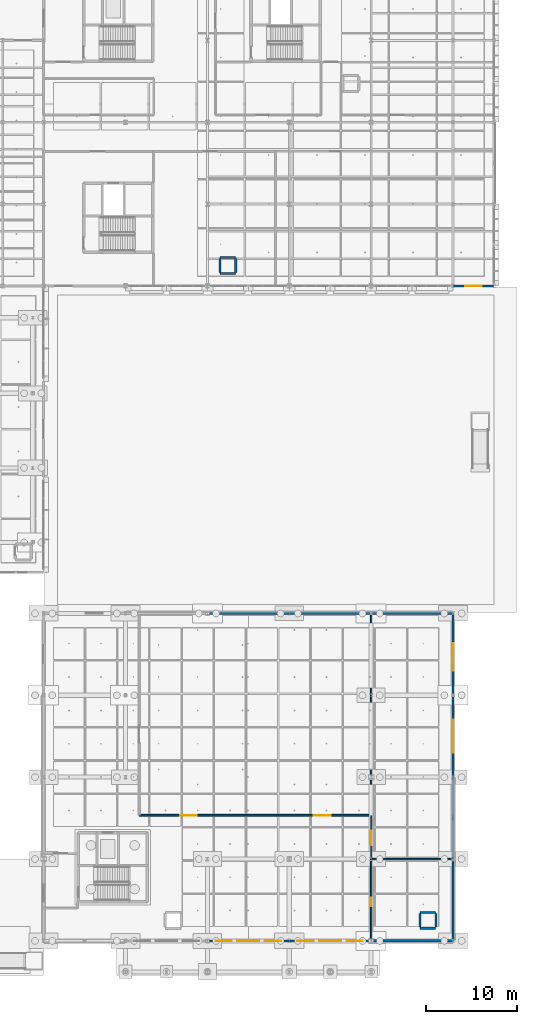
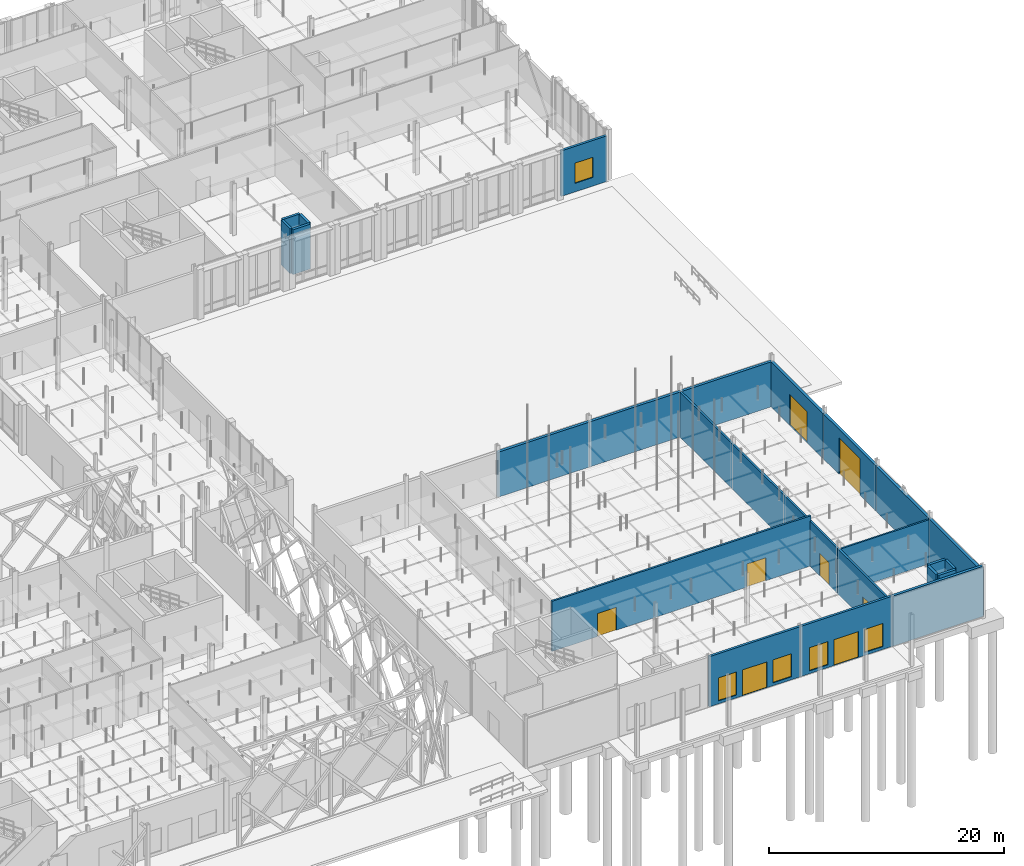
# One storey, part 101 of 180: 24 walls, 8 doors, 5 windows, 13 openings.
"""IFC4 building model written with IfcOpenShell, lengths in metres."""

from ifc_helpers import new_model, si_unit, direction, frame, frame_2d, origin, place, context, subcontext, project, spatial, rectangle, extrude, material, layer, layer_set, type_object, element, fill, save


model = new_model("IFC4")

# Units and contexts
model_context = context("Model", 3, precision=1e-05, world=origin(), true_north=direction((0.0, 1.0)))
body_context = subcontext(model_context, "Body", "Model", "MODEL_VIEW")
ifc_project = project(units=[si_unit("LENGTHUNIT", "METRE"), si_unit("AREAUNIT", "SQUARE_METRE"), si_unit("VOLUMEUNIT", "CUBIC_METRE"), si_unit("PLANEANGLEUNIT", "RADIAN"), si_unit("MASSUNIT", "GRAM", prefix="KILO"), si_unit("THERMODYNAMICTEMPERATUREUNIT", "KELVIN"), si_unit("POWERUNIT", "WATT")], contexts=[model_context])

# Site, building, storey
site_placement = place(None, origin())
site = spatial("IfcSite", under=ifc_project, at=site_placement, CompositionType="ELEMENT")
building_placement = place(site_placement, origin())
building = spatial("IfcBuilding", under=site, at=building_placement, Name="Tallowbark Science Centre", CompositionType="ELEMENT")
storey_placement = place(building_placement, origin())
storey = spatial("IfcBuildingStorey", under=building, at=storey_placement, Name="L00", CompositionType="ELEMENT", Elevation=0.0)

# Wall, openings, door, windows
ifc_material_1 = material(Name="Hawkesbury Sandstone Faced Masonry Cavity Wall", Category="masonry")
ifc_layer_1 = layer(ifc_material_1, 0.22998046875)
ifc_layer_set_1 = layer_set([ifc_layer_1], Name="Hawkesbury Sandstone Faced Masonry Cavity Wall")
wall_type_1 = type_object("IfcWallType", Name="EWL-MAS-230", PredefinedType="STANDARD", material=ifc_layer_set_1)
wall_1_placement = place(storey_placement, frame((130.5, 0.0, 0.0), z_axis=(0.0, 0.0, 1.0), x_axis=(1.0, 0.0, 0.0)))
wall_1 = element("IfcWall", 1, at=wall_1_placement, inside=storey, type_object=wall_type_1, Name="Exterior Wall THT-S-L00-2", PredefinedType="STANDARD", context=body_context, shape_type="SweptSolid", body=[
    extrude(rectangle(XDim=9.0, YDim=0.22998046875, at=frame_2d((4.5, 0.0))), origin(), (0.0, 0.0, 1.0), 5.219970703125),
])
opening_1_placement = place(wall_1_placement, frame((0.89990234375, 0.0, 0.300048828125)))
opening_1 = element("IfcOpeningElement", 2, at=opening_1_placement, cuts=wall_1, Name="Opening W-12", PredefinedType="OPENING", context=body_context, shape_type="SweptSolid", body=[
    extrude(rectangle(XDim=1.800048828125, YDim=2.39990234375, at=frame_2d((0.89990234375, 1.199951171875))), frame((0.0, 0.125, 0.0), z_axis=(0.0, -1.0, 0.0), x_axis=(1.0, 0.0, 0.0)), (0.0, 0.0, 1.0), 0.25),
])
opening_2_placement = place(wall_1_placement, frame((6.300048828125, 0.0, 0.300048828125)))
opening_2 = element("IfcOpeningElement", 3, at=opening_2_placement, cuts=wall_1, Name="Opening W-12", PredefinedType="OPENING", context=body_context, shape_type="SweptSolid", body=[
    extrude(rectangle(XDim=1.800048828125, YDim=2.39990234375, at=frame_2d((0.89990234375, 1.199951171875))), frame((0.0, 0.125, 0.0), z_axis=(0.0, -1.0, 0.0), x_axis=(1.0, 0.0, 0.0)), (0.0, 0.0, 1.0), 0.25),
])
opening_3_placement = place(wall_1_placement, frame((3.300048828125, 0.0, 0.0)))
opening_3 = element("IfcOpeningElement", 4, at=opening_3_placement, cuts=wall_1, Name="Opening ED-01", PredefinedType="OPENING", context=body_context, shape_type="SweptSolid", body=[
    extrude(rectangle(XDim=2.39990234375, YDim=2.699951171875, at=frame_2d((1.199951171875, 1.35009765625))), frame((0.0, 0.125, 0.0), z_axis=(0.0, -1.0, 0.0), x_axis=(1.0, 0.0, 0.0)), (0.0, 0.0, 1.0), 0.25),
])
ifc_material_2 = material(Name="Thermally Broken Glazed Aluminium Frame", Category="aluminium")
door_type_1 = type_object("IfcDoorType", Name="EDR-GLZ-240", OperationType="DOUBLE_DOOR_SINGLE_SWING", PredefinedType="DOOR", material=ifc_material_2)
door_1_placement = place(opening_3_placement, origin())
door_1 = element("IfcDoor", 5, at=door_1_placement, inside=storey, type_object=door_type_1, Name="Exterior Door EDR-L00-016", OperationType="DOUBLE_DOOR_SINGLE_SWING", OverallHeight=2.699951171875, OverallWidth=2.39990234375, PredefinedType="DOOR", context=body_context, shape_type="SweptSolid", body=[
    extrude(rectangle(XDim=2.39990234375, YDim=2.699951171875, at=frame_2d((1.199951171875, 1.35009765625))), frame((0.0, 0.02490234375, 0.0), z_axis=(0.0, -1.0, 0.0), x_axis=(1.0, 0.0, 0.0)), (0.0, 0.0, 1.0), 0.050048828125),
])
fill(opening_3, door_1)
ifc_material_3 = material(Name="Thermally Broken Aluminium and Low-E Double Glazing", Category="aluminium")
window_type_1 = type_object("IfcWindowType", Name="WIN-F180x240", PartitioningType="SINGLE_PANEL", PredefinedType="WINDOW", material=ifc_material_3)
window_1_placement = place(opening_1_placement, origin())
window_1 = element("IfcWindow", 6, at=window_1_placement, inside=storey, type_object=window_type_1, Name="Window WIN-L00-0015", OverallHeight=2.39990234375, OverallWidth=1.800048828125, PartitioningType="SINGLE_PANEL", PredefinedType="WINDOW", context=body_context, shape_type="SweptSolid", body=[
    extrude(rectangle(XDim=1.800048828125, YDim=2.39990234375, at=frame_2d((0.89990234375, 1.199951171875))), frame((0.0, 0.030029296875, 0.0), z_axis=(0.0, -1.0, 0.0), x_axis=(1.0, 0.0, 0.0)), (0.0, 0.0, 1.0), 0.06005859375),
])
fill(opening_1, window_1)
window_2_placement = place(opening_2_placement, origin())
window_2 = element("IfcWindow", 7, at=window_2_placement, inside=storey, type_object=window_type_1, Name="Window WIN-L00-0016", OverallHeight=2.39990234375, OverallWidth=1.800048828125, PartitioningType="SINGLE_PANEL", PredefinedType="WINDOW", context=body_context, shape_type="SweptSolid", body=[
    extrude(rectangle(XDim=1.800048828125, YDim=2.39990234375, at=frame_2d((0.89990234375, 1.199951171875))), frame((0.0, 0.030029296875, 0.0), z_axis=(0.0, -1.0, 0.0), x_axis=(1.0, 0.0, 0.0)), (0.0, 0.0, 1.0), 0.06005859375),
])
fill(opening_2, window_2)

wall_2_placement = place(storey_placement, frame((139.5, 0.0, 0.0), z_axis=(0.0, 0.0, 1.0), x_axis=(1.0, 0.0, 0.0)))
wall_2 = element("IfcWall", 8, at=wall_2_placement, inside=storey, type_object=wall_type_1, Name="Exterior Wall THT-S-L00-3", PredefinedType="STANDARD", context=body_context, shape_type="SweptSolid", body=[
    extrude(rectangle(XDim=9.0, YDim=0.22998046875, at=frame_2d((4.5, 0.0))), origin(), (0.0, 0.0, 1.0), 5.219970703125),
])
opening_4_placement = place(wall_2_placement, frame((0.89990234375, 0.0, 0.300048828125)))
opening_4 = element("IfcOpeningElement", 9, at=opening_4_placement, cuts=wall_2, Name="Opening W-12", PredefinedType="OPENING", context=body_context, shape_type="SweptSolid", body=[
    extrude(rectangle(XDim=1.800048828125, YDim=2.39990234375, at=frame_2d((0.89990234375, 1.199951171875))), frame((0.0, 0.125, 0.0), z_axis=(0.0, -1.0, 0.0), x_axis=(1.0, 0.0, 0.0)), (0.0, 0.0, 1.0), 0.25),
])
opening_5_placement = place(wall_2_placement, frame((6.300048828125, 0.0, 0.300048828125)))
opening_5 = element("IfcOpeningElement", 10, at=opening_5_placement, cuts=wall_2, Name="Opening W-12", PredefinedType="OPENING", context=body_context, shape_type="SweptSolid", body=[
    extrude(rectangle(XDim=1.800048828125, YDim=2.39990234375, at=frame_2d((0.89990234375, 1.199951171875))), frame((0.0, 0.125, 0.0), z_axis=(0.0, -1.0, 0.0), x_axis=(1.0, 0.0, 0.0)), (0.0, 0.0, 1.0), 0.25),
])
opening_6_placement = place(wall_2_placement, frame((3.300048828125, 0.0, 0.0)))
opening_6 = element("IfcOpeningElement", 11, at=opening_6_placement, cuts=wall_2, Name="Opening ED-01", PredefinedType="OPENING", context=body_context, shape_type="SweptSolid", body=[
    extrude(rectangle(XDim=2.39990234375, YDim=2.699951171875, at=frame_2d((1.199951171875, 1.35009765625))), frame((0.0, 0.125, 0.0), z_axis=(0.0, -1.0, 0.0), x_axis=(1.0, 0.0, 0.0)), (0.0, 0.0, 1.0), 0.25),
])
door_2_placement = place(opening_6_placement, origin())
door_2 = element("IfcDoor", 12, at=door_2_placement, inside=storey, type_object=door_type_1, Name="Exterior Door EDR-L00-017", OperationType="DOUBLE_DOOR_SINGLE_SWING", OverallHeight=2.699951171875, OverallWidth=2.39990234375, PredefinedType="DOOR", context=body_context, shape_type="SweptSolid", body=[
    extrude(rectangle(XDim=2.39990234375, YDim=2.699951171875, at=frame_2d((1.199951171875, 1.35009765625))), frame((0.0, 0.02490234375, 0.0), z_axis=(0.0, -1.0, 0.0), x_axis=(1.0, 0.0, 0.0)), (0.0, 0.0, 1.0), 0.050048828125),
])
fill(opening_6, door_2)
window_3_placement = place(opening_4_placement, origin())
window_3 = element("IfcWindow", 13, at=window_3_placement, inside=storey, type_object=window_type_1, Name="Window WIN-L00-0017", OverallHeight=2.39990234375, OverallWidth=1.800048828125, PartitioningType="SINGLE_PANEL", PredefinedType="WINDOW", context=body_context, shape_type="SweptSolid", body=[
    extrude(rectangle(XDim=1.800048828125, YDim=2.39990234375, at=frame_2d((0.89990234375, 1.199951171875))), frame((0.0, 0.030029296875, 0.0), z_axis=(0.0, -1.0, 0.0), x_axis=(1.0, 0.0, 0.0)), (0.0, 0.0, 1.0), 0.06005859375),
])
fill(opening_4, window_3)
window_4_placement = place(opening_5_placement, origin())
window_4 = element("IfcWindow", 14, at=window_4_placement, inside=storey, type_object=window_type_1, Name="Window WIN-L00-0018", OverallHeight=2.39990234375, OverallWidth=1.800048828125, PartitioningType="SINGLE_PANEL", PredefinedType="WINDOW", context=body_context, shape_type="SweptSolid", body=[
    extrude(rectangle(XDim=1.800048828125, YDim=2.39990234375, at=frame_2d((0.89990234375, 1.199951171875))), frame((0.0, 0.030029296875, 0.0), z_axis=(0.0, -1.0, 0.0), x_axis=(1.0, 0.0, 0.0)), (0.0, 0.0, 1.0), 0.06005859375),
])
fill(opening_5, window_4)

# Wall, opening, window
wall_3_placement = place(storey_placement, frame((157.5, 72.0, 0.0), z_axis=(0.0, 0.0, 1.0), x_axis=(1.0, 0.0, 0.0)))
wall_3 = element("IfcWall", 15, at=wall_3_placement, inside=storey, type_object=wall_type_1, Name="Exterior Wall OBS-S-L00-157", PredefinedType="STANDARD", context=body_context, shape_type="SweptSolid", body=[
    extrude(rectangle(XDim=4.5, YDim=0.22998046875, at=frame_2d((2.25, 0.0))), origin(), (0.0, 0.0, 1.0), 4.74609375),
])
opening_7_placement = place(wall_3_placement, frame((1.35009765625, 0.0, 0.89990234375)))
opening_7 = element("IfcOpeningElement", 16, at=opening_7_placement, cuts=wall_3, Name="Opening W-04", PredefinedType="OPENING", context=body_context, shape_type="SweptSolid", body=[
    extrude(rectangle(XDim=1.800048828125, YDim=2.10009765625, at=frame_2d((0.89990234375, 1.050048828125))), frame((0.0, 0.125, 0.0), z_axis=(0.0, -1.0, 0.0), x_axis=(1.0, 0.0, 0.0)), (0.0, 0.0, 1.0), 0.25),
])
window_type_2 = type_object("IfcWindowType", Name="WIN-F180x210", PartitioningType="SINGLE_PANEL", PredefinedType="WINDOW", material=ifc_material_3)
window_5_placement = place(opening_7_placement, origin())
window_5 = element("IfcWindow", 17, at=window_5_placement, inside=storey, type_object=window_type_2, Name="Window WIN-L00-0035", OverallHeight=2.10009765625, OverallWidth=1.800048828125, PartitioningType="SINGLE_PANEL", PredefinedType="WINDOW", context=body_context, shape_type="SweptSolid", body=[
    extrude(rectangle(XDim=1.800048828125, YDim=2.10009765625, at=frame_2d((0.89990234375, 1.050048828125))), frame((0.0, 0.030029296875, 0.0), z_axis=(0.0, -1.0, 0.0), x_axis=(1.0, 0.0, 0.0)), (0.0, 0.0, 1.0), 0.06005859375),
])
fill(opening_7, window_5)

# Walls
ifc_material_4 = material(Name="Insulated Ribbed Precast Concrete Panel Grade N40 (40 MPa)", Category="concrete")
ifc_layer_2 = layer(ifc_material_4, 0.264892578125)
ifc_layer_set_2 = layer_set([ifc_layer_2], Name="Insulated Ribbed Precast Concrete Panel Grade N40 (40 MPa)")
wall_type_2 = type_object("IfcWallType", Name="EWL-PRC-265", PredefinedType="STANDARD", material=ifc_layer_set_2)
for number, where, z_axis, x_axis, name in (
    (18, (139.5, 36.0, 0.0), (0.0, 0.0, 1.0), (-1.0, 0.0, 0.0), "Exterior Wall THT-N-L00-2"),
    (19, (148.5, 36.0, 0.0), (0.0, 0.0, 1.0), (-1.0, 0.0, 0.0), "Exterior Wall THT-N-L00-3"),
):
    element("IfcWall", number, at=place(storey_placement, frame(where, z_axis=z_axis, x_axis=x_axis)), inside=storey, type_object=wall_type_2, Name=name, PredefinedType="STANDARD", context=body_context, shape_type="SweptSolid", body=[
        extrude(rectangle(XDim=9.0, YDim=0.264892578125, at=frame_2d((4.5, 0.0))), origin(), (0.0, 0.0, 1.0), 4.68115234375),
    ])
wall_4_placement = place(storey_placement, frame((148.5, 0.0, 0.0), z_axis=(0.0, 0.0, 1.0), x_axis=(1.0, 0.0, 0.0)))
element("IfcWall", 20, at=wall_4_placement, inside=storey, type_object=wall_type_2, Name="Exterior Wall THT-S-L00-4", PredefinedType="STANDARD", context=body_context, shape_type="SweptSolid", body=[
    extrude(rectangle(XDim=9.0, YDim=0.264892578125, at=frame_2d((4.5, 0.0))), origin(), (0.0, 0.0, 1.0), 5.219970703125),
])
for number, where, z_axis, x_axis, name in (
    (21, (157.5, 36.0, 0.0), (0.0, 0.0, 1.0), (-1.0, 0.0, 0.0), "Exterior Wall THT-N-L00-4"),
    (22, (157.5, 0.0, 0.0), (0.0, 0.0, 1.0), (0.0, 1.0, 0.0), "Exterior Wall THT-E-L00-0"),
    (23, (157.5, 9.0, 0.0), (0.0, 0.0, 1.0), (0.0, 1.0, 0.0), "Exterior Wall THT-E-L00-1"),
):
    element("IfcWall", number, at=place(storey_placement, frame(where, z_axis=z_axis, x_axis=x_axis)), inside=storey, type_object=wall_type_2, Name=name, PredefinedType="STANDARD", context=body_context, shape_type="SweptSolid", body=[
        extrude(rectangle(XDim=9.0, YDim=0.264892578125, at=frame_2d((4.5, 0.0))), origin(), (0.0, 0.0, 1.0), 4.68115234375),
    ])

# Wall, opening, door
wall_5_placement = place(storey_placement, frame((157.5, 18.0, 0.0), z_axis=(0.0, 0.0, 1.0), x_axis=(0.0, 1.0, 0.0)))
wall_5 = element("IfcWall", 24, at=wall_5_placement, inside=storey, type_object=wall_type_2, Name="Exterior Wall THT-E-L00-2", PredefinedType="STANDARD", context=body_context, shape_type="SweptSolid", body=[
    extrude(rectangle(XDim=9.0, YDim=0.264892578125, at=frame_2d((4.5, 0.0))), origin(), (0.0, 0.0, 1.0), 4.68115234375),
])
opening_8_placement = place(wall_5_placement, frame((2.699951171875, 0.0, 0.0)))
opening_8 = element("IfcOpeningElement", 25, at=opening_8_placement, cuts=wall_5, Name="Opening GT-01", PredefinedType="OPENING", context=body_context, shape_type="SweptSolid", body=[
    extrude(rectangle(XDim=3.60009765625, YDim=3.800048828125, at=frame_2d((1.800048828125, 1.89990234375))), frame((0.0, 0.142578125, 0.0), z_axis=(0.0, -1.0, 0.0), x_axis=(1.0, 0.0, 0.0)), (0.0, 0.0, 1.0), 0.284912109375),
])
ifc_material_5 = material(Name="Insulated Steel Roller Shutter", Category="steel")
door_type_2 = type_object("IfcDoorType", Name="EDR-DOCK-360", OperationType="ROLLINGUP", PredefinedType="GATE", material=ifc_material_5)
door_3_placement = place(opening_8_placement, origin())
door_3 = element("IfcDoor", 26, at=door_3_placement, inside=storey, type_object=door_type_2, Name="Exterior Door EDR-L00-019", OperationType="ROLLINGUP", OverallHeight=3.800048828125, OverallWidth=3.60009765625, PredefinedType="GATE", context=body_context, shape_type="SweptSolid", body=[
    extrude(rectangle(XDim=3.60009765625, YDim=3.800048828125, at=frame_2d((1.800048828125, 1.89990234375))), frame((0.0, 0.02490234375, 0.0), z_axis=(0.0, -1.0, 0.0), x_axis=(1.0, 0.0, 0.0)), (0.0, 0.0, 1.0), 0.050048828125),
])
fill(opening_8, door_3)

wall_6_placement = place(storey_placement, frame((157.5, 27.0, 0.0), z_axis=(0.0, 0.0, 1.0), x_axis=(0.0, 1.0, 0.0)))
wall_6 = element("IfcWall", 27, at=wall_6_placement, inside=storey, type_object=wall_type_2, Name="Exterior Wall THT-E-L00-3", PredefinedType="STANDARD", context=body_context, shape_type="SweptSolid", body=[
    extrude(rectangle(XDim=9.0, YDim=0.264892578125, at=frame_2d((4.5, 0.0))), origin(), (0.0, 0.0, 1.0), 4.68115234375),
])
opening_9_placement = place(wall_6_placement, frame((2.699951171875, 0.0, 0.0)))
opening_9 = element("IfcOpeningElement", 28, at=opening_9_placement, cuts=wall_6, Name="Opening GT-02", PredefinedType="OPENING", context=body_context, shape_type="SweptSolid", body=[
    extrude(rectangle(XDim=3.0, YDim=3.199951171875, at=frame_2d((1.5, 1.60009765625))), frame((0.0, 0.142578125, 0.0), z_axis=(0.0, -1.0, 0.0), x_axis=(1.0, 0.0, 0.0)), (0.0, 0.0, 1.0), 0.284912109375),
])
door_type_3 = type_object("IfcDoorType", Name="EDR-DOCK-300", OperationType="ROLLINGUP", PredefinedType="GATE", material=ifc_material_5)
door_4_placement = place(opening_9_placement, origin())
door_4 = element("IfcDoor", 29, at=door_4_placement, inside=storey, type_object=door_type_3, Name="Exterior Door EDR-L00-021", OperationType="ROLLINGUP", OverallHeight=3.199951171875, OverallWidth=3.0, PredefinedType="GATE", context=body_context, shape_type="SweptSolid", body=[
    extrude(rectangle(XDim=3.0, YDim=3.199951171875, at=frame_2d((1.5, 1.60009765625))), frame((0.0, 0.02490234375, 0.0), z_axis=(0.0, -1.0, 0.0), x_axis=(1.0, 0.0, 0.0)), (0.0, 0.0, 1.0), 0.050048828125),
])
fill(opening_9, door_4)

# Wall
ifc_material_6 = material(Name="162 mm Double-Stud Fire-Rated Corridor Partition")
ifc_layer_3 = layer(ifc_material_6, 0.162109375)
ifc_layer_set_3 = layer_set([ifc_layer_3], Name="162 mm Double-Stud Fire-Rated Corridor Partition")
wall_type_3 = type_object("IfcWallType", Name="PTW-162", PredefinedType="PARTITIONING", material=ifc_layer_set_3)
wall_7_placement = place(storey_placement, frame((148.5, 9.0, 0.0), z_axis=(0.0, 0.0, 1.0), x_axis=(1.0, 0.0, 0.0)))
element("IfcWall", 30, at=wall_7_placement, inside=storey, type_object=wall_type_3, Name="Interior Partition PTW-L00-0116", PredefinedType="PARTITIONING", context=body_context, shape_type="SweptSolid", body=[
    extrude(rectangle(XDim=9.0, YDim=0.162109375, at=frame_2d((4.5, 0.0))), origin(), (0.0, 0.0, 1.0), 4.60205078125),
])

# Wall, openings, doors
ifc_material_7 = material(Name="190 mm Acoustic Auditorium Double-Stud Partition")
ifc_layer_4 = layer(ifc_material_7, 0.18994140625)
ifc_layer_set_4 = layer_set([ifc_layer_4], Name="190 mm Acoustic Auditorium Double-Stud Partition")
wall_type_4 = type_object("IfcWallType", Name="PTW-190", PredefinedType="PARTITIONING", material=ifc_layer_set_4)
wall_8_placement = place(storey_placement, frame((123.0, 13.800048828125, 0.0), z_axis=(0.0, 0.0, 1.0), x_axis=(1.0, 0.0, 0.0)))
wall_8 = element("IfcWall", 31, at=wall_8_placement, inside=storey, type_object=wall_type_4, Name="Interior Partition PTW-L00-0111", PredefinedType="PARTITIONING", context=body_context, shape_type="SweptSolid", body=[
    extrude(rectangle(XDim=25.5, YDim=0.18994140625, at=frame_2d((12.75, 0.0))), origin(), (0.0, 0.0, 1.0), 5.219970703125),
])
opening_10_placement = place(wall_8_placement, frame((4.5, 0.0, 0.0)))
opening_10 = element("IfcOpeningElement", 32, at=opening_10_placement, cuts=wall_8, Name="Opening DS-39", PredefinedType="OPENING", context=body_context, shape_type="SweptSolid", body=[
    extrude(rectangle(XDim=1.840087890625, YDim=2.39990234375, at=frame_2d((0.919921875, 1.199951171875))), frame((0.0, 0.10498046875, 0.0), z_axis=(0.0, -1.0, 0.0), x_axis=(1.0, 0.0, 0.0)), (0.0, 0.0, 1.0), 0.2099609375),
])
opening_11_placement = place(wall_8_placement, frame((19.199951171875, 0.0, 0.0)))
opening_11 = element("IfcOpeningElement", 33, at=opening_11_placement, cuts=wall_8, Name="Opening DS-40", PredefinedType="OPENING", context=body_context, shape_type="SweptSolid", body=[
    extrude(rectangle(XDim=1.860107421875, YDim=2.39990234375, at=frame_2d((0.93017578125, 1.199951171875))), frame((0.0, 0.10498046875, 0.0), z_axis=(0.0, -1.0, 0.0), x_axis=(1.0, 0.0, 0.0)), (0.0, 0.0, 1.0), 0.2099609375),
])
ifc_material_8 = material(Name="Acoustic Sound-Lock Theatre Pair")
door_type_4 = type_object("IfcDoorType", Name="IDR-AUD-180-S39", OperationType="DOUBLE_DOOR_SINGLE_SWING", PredefinedType="DOOR", material=ifc_material_8)
door_5_placement = place(opening_10_placement, origin())
door_5 = element("IfcDoor", 34, at=door_5_placement, inside=storey, type_object=door_type_4, Name="Interior Door IDR-L00-0039", OperationType="DOUBLE_DOOR_SINGLE_SWING", OverallHeight=2.39990234375, OverallWidth=1.840087890625, PredefinedType="DOOR", context=body_context, shape_type="SweptSolid", body=[
    extrude(rectangle(XDim=1.840087890625, YDim=2.39990234375, at=frame_2d((0.919921875, 1.199951171875))), frame((0.0, 0.02490234375, 0.0), z_axis=(0.0, -1.0, 0.0), x_axis=(1.0, 0.0, 0.0)), (0.0, 0.0, 1.0), 0.050048828125),
])
fill(opening_10, door_5)
door_type_5 = type_object("IfcDoorType", Name="IDR-AUD-180-S40", OperationType="DOUBLE_DOOR_SINGLE_SWING", PredefinedType="DOOR", material=ifc_material_8)
door_6_placement = place(opening_11_placement, origin())
door_6 = element("IfcDoor", 35, at=door_6_placement, inside=storey, type_object=door_type_5, Name="Interior Door IDR-L00-0040", OperationType="DOUBLE_DOOR_SINGLE_SWING", OverallHeight=2.39990234375, OverallWidth=1.860107421875, PredefinedType="DOOR", context=body_context, shape_type="SweptSolid", body=[
    extrude(rectangle(XDim=1.860107421875, YDim=2.39990234375, at=frame_2d((0.93017578125, 1.199951171875))), frame((0.0, 0.02490234375, 0.0), z_axis=(0.0, -1.0, 0.0), x_axis=(1.0, 0.0, 0.0)), (0.0, 0.0, 1.0), 0.050048828125),
])
fill(opening_11, door_6)

# Wall, opening, door
wall_9_placement = place(storey_placement, frame((148.5, 0.0, 0.0), z_axis=(0.0, 0.0, 1.0), x_axis=(0.0, 1.0, 0.0)))
wall_9 = element("IfcWall", 36, at=wall_9_placement, inside=storey, type_object=wall_type_4, Name="Interior Partition PTW-L00-0113", PredefinedType="PARTITIONING", context=body_context, shape_type="SweptSolid", body=[
    extrude(rectangle(XDim=9.0, YDim=0.18994140625, at=frame_2d((4.5, 0.0))), origin(), (0.0, 0.0, 1.0), 4.68115234375),
])
opening_12_placement = place(wall_9_placement, frame((3.800048828125, 0.0, 0.0)))
opening_12 = element("IfcOpeningElement", 37, at=opening_12_placement, cuts=wall_9, Name="Opening DS-42", PredefinedType="OPENING", context=body_context, shape_type="SweptSolid", body=[
    extrude(rectangle(XDim=0.929931640625, YDim=2.27490234375, at=frame_2d((0.46484375, 1.137451171875))), frame((0.0, 0.10498046875, 0.0), z_axis=(0.0, -1.0, 0.0), x_axis=(1.0, 0.0, 0.0)), (0.0, 0.0, 1.0), 0.2099609375),
])
ifc_material_9 = material(Name="Solid-Core Timber Veneer Leaf", Category="wood")
door_type_6 = type_object("IfcDoorType", Name="IDR-OFF-095-S42", OperationType="NOTDEFINED", PredefinedType="DOOR", material=ifc_material_9)
door_7_placement = place(opening_12_placement, origin())
door_7 = element("IfcDoor", 38, at=door_7_placement, inside=storey, type_object=door_type_6, Name="Interior Door IDR-L00-0042", OperationType="SINGLE_SWING_RIGHT", OverallHeight=2.27490234375, OverallWidth=0.929931640625, PredefinedType="DOOR", context=body_context, shape_type="SweptSolid", body=[
    extrude(rectangle(XDim=0.929931640625, YDim=2.27490234375, at=frame_2d((0.46484375, 1.137451171875))), frame((0.0, 0.02490234375, 0.0), z_axis=(0.0, -1.0, 0.0), x_axis=(1.0, 0.0, 0.0)), (0.0, 0.0, 1.0), 0.050048828125),
])
fill(opening_12, door_7)

wall_10_placement = place(storey_placement, frame((148.5, 9.0, 0.0), z_axis=(0.0, 0.0, 1.0), x_axis=(0.0, 1.0, 0.0)))
wall_10 = element("IfcWall", 39, at=wall_10_placement, inside=storey, type_object=wall_type_4, Name="Interior Partition PTW-L00-0114", PredefinedType="PARTITIONING", context=body_context, shape_type="SweptSolid", body=[
    extrude(rectangle(XDim=4.800048828125, YDim=0.18994140625, at=frame_2d((2.39990234375, 0.0))), origin(), (0.0, 0.0, 1.0), 4.68115234375),
])
opening_13_placement = place(wall_10_placement, frame((1.5, 0.0, 0.0)))
opening_13 = element("IfcOpeningElement", 40, at=opening_13_placement, cuts=wall_10, Name="Opening DS-43", PredefinedType="OPENING", context=body_context, shape_type="SweptSolid", body=[
    extrude(rectangle(XDim=1.60009765625, YDim=2.324951171875, at=frame_2d((0.800048828125, 1.16259765625))), frame((0.0, 0.10498046875, 0.0), z_axis=(0.0, -1.0, 0.0), x_axis=(1.0, 0.0, 0.0)), (0.0, 0.0, 1.0), 0.2099609375),
])
ifc_material_10 = material(Name="Fire-Rated Acoustic Plant Pair")
door_type_7 = type_object("IfcDoorType", Name="FDR-PLT-160-S43", OperationType="DOUBLE_DOOR_SINGLE_SWING", PredefinedType="DOOR", material=ifc_material_10)
door_8_placement = place(opening_13_placement, origin())
door_8 = element("IfcDoor", 41, at=door_8_placement, inside=storey, type_object=door_type_7, Name="Interior Door IDR-L00-0043", OperationType="DOUBLE_DOOR_SINGLE_SWING", OverallHeight=2.324951171875, OverallWidth=1.60009765625, PredefinedType="DOOR", context=body_context, shape_type="SweptSolid", body=[
    extrude(rectangle(XDim=1.60009765625, YDim=2.324951171875, at=frame_2d((0.800048828125, 1.16259765625))), frame((0.0, 0.02490234375, 0.0), z_axis=(0.0, -1.0, 0.0), x_axis=(1.0, 0.0, 0.0)), (0.0, 0.0, 1.0), 0.050048828125),
])
fill(opening_13, door_8)

# Walls
wall_11_placement = place(storey_placement, frame((148.5, 13.800048828125, 0.0), z_axis=(0.0, 0.0, 1.0), x_axis=(0.0, 1.0, 0.0)))
element("IfcWall", 42, at=wall_11_placement, inside=storey, type_object=wall_type_4, Name="Interior Partition PTW-L00-0115", PredefinedType="PARTITIONING", context=body_context, shape_type="SweptSolid", body=[
    extrude(rectangle(XDim=22.199951171875, YDim=0.18994140625, at=frame_2d((11.10009765625, 0.0))), origin(), (0.0, 0.0, 1.0), 4.68115234375),
])
ifc_material_11 = material(Name="Concrete Grade N40 (40 MPa)", Category="concrete")
ifc_layer_5 = layer(ifc_material_11, 0.25)
ifc_layer_set_5 = layer_set([ifc_layer_5], Name="Concrete Grade N40 (40 MPa)")
wall_type_5 = type_object("IfcWallType", Name="WL-SHAFT-250", PredefinedType="SHEAR", material=ifc_layer_set_5)
for number, where, z_axis, x_axis, name in (
    (43, (153.89990234375, 1.375, 0.0), (0.0, 0.0, 1.0), (1.0, 0.0, 0.0), "Service Riser Shaft Wall RSR-THT-E L00 S"),
    (44, (153.89990234375, 3.125, 0.0), (0.0, 0.0, 1.0), (1.0, 0.0, 0.0), "Service Riser Shaft Wall RSR-THT-E L00 N"),
):
    element("IfcWall", number, at=place(storey_placement, frame(where, z_axis=z_axis, x_axis=x_axis)), inside=storey, type_object=wall_type_5, Name=name, PredefinedType="SHEAR", context=body_context, shape_type="SweptSolid", body=[
        extrude(rectangle(XDim=1.7001953125, YDim=0.25, at=frame_2d((0.85009765625, 0.0))), origin(), (0.0, 0.0, 1.0), 4.669921875),
    ])
for number, where, z_axis, x_axis, name in (
    (45, (153.875, 1.5, 0.0), (0.0, 0.0, 1.0), (0.0, 1.0, 0.0), "Service Riser Shaft Wall RSR-THT-E L00 W"),
    (46, (155.625, 1.5, 0.0), (0.0, 0.0, 1.0), (0.0, 1.0, 0.0), "Service Riser Shaft Wall RSR-THT-E L00 E"),
):
    element("IfcWall", number, at=place(storey_placement, frame(where, z_axis=z_axis, x_axis=x_axis)), inside=storey, type_object=wall_type_5, Name=name, PredefinedType="SHEAR", context=body_context, shape_type="SweptSolid", body=[
        extrude(rectangle(XDim=1.5, YDim=0.25, at=frame_2d((0.75, 0.0))), origin(), (0.0, 0.0, 1.0), 4.669921875),
    ])
for number, where, z_axis, x_axis, name in (
    (47, (131.89990234375, 73.375, 0.0), (0.0, 0.0, 1.0), (1.0, 0.0, 0.0), "Service Riser Shaft Wall RSR-OBS-S L00 S"),
    (48, (131.89990234375, 75.125, 0.0), (0.0, 0.0, 1.0), (1.0, 0.0, 0.0), "Service Riser Shaft Wall RSR-OBS-S L00 N"),
):
    element("IfcWall", number, at=place(storey_placement, frame(where, z_axis=z_axis, x_axis=x_axis)), inside=storey, type_object=wall_type_5, Name=name, PredefinedType="SHEAR", context=body_context, shape_type="SweptSolid", body=[
        extrude(rectangle(XDim=1.7001953125, YDim=0.25, at=frame_2d((0.85009765625, 0.0))), origin(), (0.0, 0.0, 1.0), 4.669921875),
    ])
for number, where, z_axis, x_axis, name in (
    (49, (131.875, 73.5, 0.0), (0.0, 0.0, 1.0), (0.0, 1.0, 0.0), "Service Riser Shaft Wall RSR-OBS-S L00 W"),
    (50, (133.625, 73.5, 0.0), (0.0, 0.0, 1.0), (0.0, 1.0, 0.0), "Service Riser Shaft Wall RSR-OBS-S L00 E"),
):
    element("IfcWall", number, at=place(storey_placement, frame(where, z_axis=z_axis, x_axis=x_axis)), inside=storey, type_object=wall_type_5, Name=name, PredefinedType="SHEAR", context=body_context, shape_type="SweptSolid", body=[
        extrude(rectangle(XDim=1.5, YDim=0.25, at=frame_2d((0.75, 0.0))), origin(), (0.0, 0.0, 1.0), 4.669921875),
    ])

save(model, "model.ifc")
